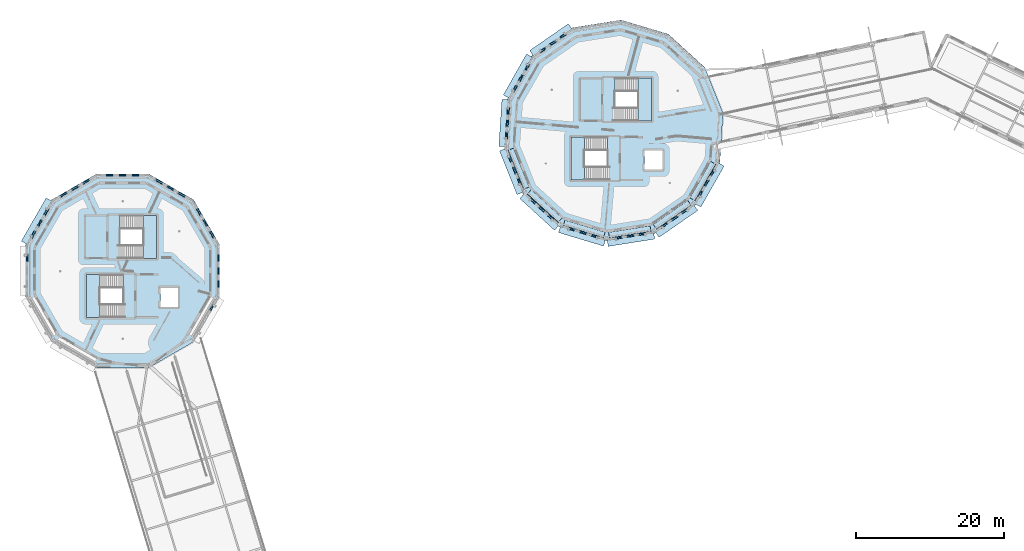
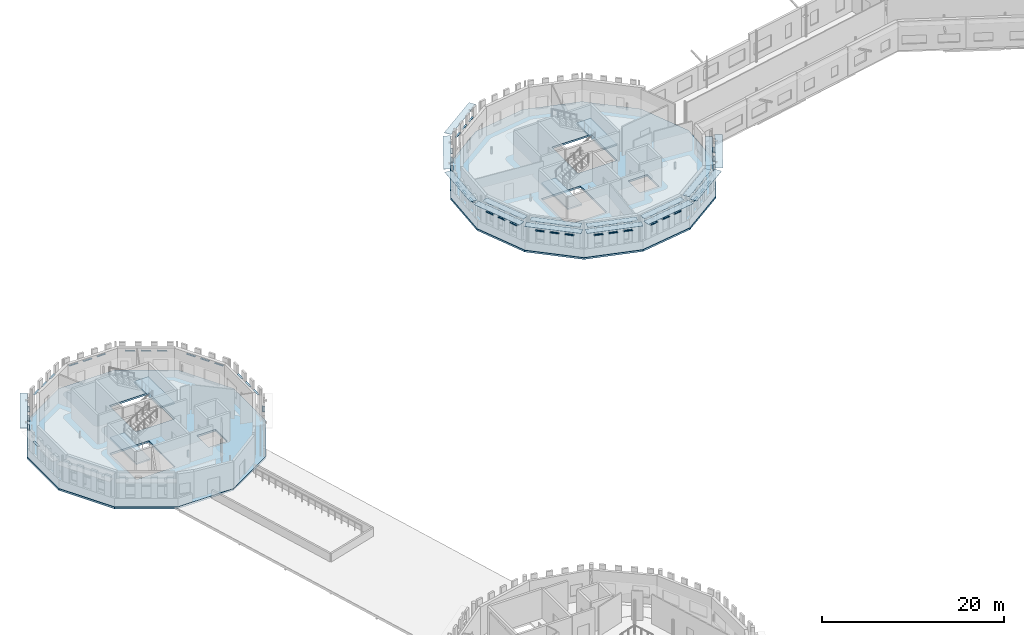
# One storey, part 25 of 68: 63 plates, 6 slabs, 4 elements without a shape of their own.
"""IFC4 building model written with IfcOpenShell, lengths in metres."""

from ifc_helpers import new_model, si_unit, direction, frame, origin, origin_2d, place, context, subcontext, project, spatial, polyline, rectangle, outline, extrude, material, layer, layer_set, type_object, element, aggregate, save


model = new_model("IFC4")

# Units and contexts
model_context = context("Model", 3, precision=1e-05, world=origin(), true_north=direction((0.0, 1.0)))
body_context = subcontext(model_context, "Body", "Model", "MODEL_VIEW")
ifc_project = project(units=[si_unit("LENGTHUNIT", "METRE"), si_unit("AREAUNIT", "SQUARE_METRE"), si_unit("VOLUMEUNIT", "CUBIC_METRE"), si_unit("PLANEANGLEUNIT", "RADIAN"), si_unit("MASSUNIT", "GRAM", prefix="KILO")], contexts=[model_context])

# Site, building, storey
site_placement = place(None, origin())
site = spatial("IfcSite", under=ifc_project, at=site_placement, CompositionType="ELEMENT")
building_placement = place(site_placement, origin())
building = spatial("IfcBuilding", under=site, at=building_placement, Name="Wrenclough Park School", CompositionType="ELEMENT")
storey_placement = place(building_placement, frame((0.0, 0.0, 12.60009765625)))
storey = spatial("IfcBuildingStorey", under=building, at=storey_placement, Name="L03", CompositionType="ELEMENT", Elevation=12.60009765625)

# Plates
ifc_material_1 = material(Name="Anodised architectural aluminium solar shading fin plate", Category="aluminium")
ifc_layer_1 = layer(ifc_material_1, 0.0380859375)
ifc_layer_set_1 = layer_set([ifc_layer_1], Name="Anodised architectural aluminium solar shading fin plate")
plate_type = type_object("IfcPlateType", Name="ENV-PL-BSF", PredefinedType="SHEET", material=ifc_layer_set_1)
for number, where, z_axis, x_axis, name in (
    (1, (28.600830078125, 94.4541015625, 2.721923828125), (0.0, 0.0, 1.0), (-0.499990505441, 0.866030885401, 0.0), "D3 L03 open-bond brick screen tie band 0563"),
    (2, (27.720703125, 95.978271484375, 2.721923828125), (0.0, 0.0, 1.0), (-0.499990505441, 0.866030885401, 0.0), "D3 L03 open-bond brick screen tie band 0564"),
    (3, (26.8408203125, 97.50244140625, 2.721923828125), (0.0, 0.0, 1.0), (-0.499990505441, 0.866030885401, 0.0), "D3 L03 open-bond brick screen tie band 0565"),
    (4, (24.50244140625, 99.8408203125, 2.721923828125), (0.0, 0.0, 1.0), (-0.866030885401, 0.499990505441, 0.0), "D3 L03 open-bond brick screen tie band 0566"),
    (5, (22.978271484375, 100.720703125, 2.721923828125), (0.0, 0.0, 1.0), (-0.866030885401, 0.499990505441, 0.0), "D3 L03 open-bond brick screen tie band 0567"),
    (6, (21.4541015625, 101.600830078125, 2.721923828125), (0.0, 0.0, 1.0), (-0.866030885401, 0.499990505441, 0.0), "D3 L03 open-bond brick screen tie band 0568"),
):
    element("IfcPlate", number, at=place(storey_placement, frame(where, z_axis=z_axis, x_axis=x_axis)), inside=storey, type_object=plate_type, Name=name, PredefinedType="SHEET", context=body_context, shape_type="SweptSolid", body=[
        extrude(rectangle(XDim=1.071044921875, YDim=0.219970703125, at=origin_2d()), origin(), (0.0, 0.0, 1.0), 0.0419921875),
    ])
plate_1_placement = place(storey_placement, frame((18.260009765625, 102.45654296875, 2.721923828125), z_axis=(0.0, 0.0, 1.0), x_axis=(-1.0, 0.0, 0.0)))
element("IfcPlate", 7, at=plate_1_placement, inside=storey, type_object=plate_type, Name="D3 L03 open-bond brick screen tie band 0569", PredefinedType="SHEET", context=body_context, shape_type="SweptSolid", body=[
    extrude(rectangle(XDim=1.07080078125, YDim=0.219970703125, at=origin_2d()), origin(), (0.0, 0.0, 1.0), 0.0419921875),
])
plate_2_placement = place(storey_placement, frame((16.5, 102.45654296875, 2.721923828125), z_axis=(0.0, 0.0, 1.0), x_axis=(-1.0, 0.0, 0.0)))
element("IfcPlate", 8, at=plate_2_placement, inside=storey, type_object=plate_type, Name="D3 L03 open-bond brick screen tie band 0570", PredefinedType="SHEET", context=body_context, shape_type="SweptSolid", body=[
    extrude(rectangle(XDim=1.071044921875, YDim=0.219970703125, at=origin_2d()), origin(), (0.0, 0.0, 1.0), 0.0419921875),
])
plate_3_placement = place(storey_placement, frame((14.739990234375, 102.45654296875, 2.721923828125), z_axis=(0.0, 0.0, 1.0), x_axis=(-1.0, 0.0, 0.0)))
element("IfcPlate", 9, at=plate_3_placement, inside=storey, type_object=plate_type, Name="D3 L03 open-bond brick screen tie band 0571", PredefinedType="SHEET", context=body_context, shape_type="SweptSolid", body=[
    extrude(rectangle(XDim=1.07080078125, YDim=0.219970703125, at=origin_2d()), origin(), (0.0, 0.0, 1.0), 0.0419921875),
])
for number, where, z_axis, x_axis, name in (
    (10, (11.5458984375, 101.600830078125, 2.721923828125), (0.0, 0.0, 1.0), (-0.866030885401, -0.499990505441, 0.0), "D3 L03 open-bond brick screen tie band 0572"),
    (11, (10.021728515625, 100.720703125, 2.721923828125), (0.0, 0.0, 1.0), (-0.866030885401, -0.499990505441, 0.0), "D3 L03 open-bond brick screen tie band 0573"),
    (12, (8.49755859375, 99.8408203125, 2.721923828125), (0.0, 0.0, 1.0), (-0.866030885401, -0.499990505441, 0.0), "D3 L03 open-bond brick screen tie band 0574"),
    (13, (6.1591796875, 97.50244140625, 2.721923828125), (0.0, 0.0, 1.0), (-0.499990505441, -0.866030885401, 0.0), "D3 L03 open-bond brick screen tie band 0575"),
    (14, (5.279296875, 95.978271484375, 2.721923828125), (0.0, 0.0, 1.0), (-0.499990505441, -0.866030885401, 0.0), "D3 L03 open-bond brick screen tie band 0576"),
    (15, (4.3994140625, 94.4541015625, 2.721923828125), (0.0, 0.0, 1.0), (-0.499990505441, -0.866030885401, 0.0), "D3 L03 open-bond brick screen tie band 0577"),
):
    element("IfcPlate", number, at=place(storey_placement, frame(where, z_axis=z_axis, x_axis=x_axis)), inside=storey, type_object=plate_type, Name=name, PredefinedType="SHEET", context=body_context, shape_type="SweptSolid", body=[
        extrude(rectangle(XDim=1.071044921875, YDim=0.219970703125, at=origin_2d()), origin(), (0.0, 0.0, 1.0), 0.0419921875),
    ])
plate_4_placement = place(storey_placement, frame((4.8310546875, 96.237060546875, 3.700927734375), z_axis=(0.0, 0.0, 1.0), x_axis=(-0.499990505441, -0.866030885401, 0.0)))
element("IfcPlate", 16, at=plate_4_placement, inside=storey, type_object=plate_type, Name="D3 L03 sun-side projecting brise-soleil blade 0098", PredefinedType="SHEET", context=body_context, shape_type="SweptSolid", body=[
    extrude(rectangle(XDim=6.739990234375, YDim=0.85009765625, at=origin_2d()), origin(), (0.0, 0.0, 1.0), 0.0380859375),
])
plate_5_placement = place(storey_placement, frame((3.54345703125, 91.260009765625, 2.721923828125), z_axis=(0.0, 0.0, 1.0), x_axis=(0.0, -1.0, 0.0)))
element("IfcPlate", 17, at=plate_5_placement, inside=storey, type_object=plate_type, Name="D3 L03 open-bond brick screen tie band 0578", PredefinedType="SHEET", context=body_context, shape_type="SweptSolid", body=[
    extrude(rectangle(XDim=1.07080078125, YDim=0.219970703125, at=origin_2d()), origin(), (0.0, 0.0, 1.0), 0.0419921875),
])
plate_6_placement = place(storey_placement, frame((28.600830078125, 84.5458984375, 2.721923828125), z_axis=(0.0, 0.0, 1.0), x_axis=(0.499990505441, 0.866030885401, 0.0)))
element("IfcPlate", 18, at=plate_6_placement, inside=storey, type_object=plate_type, Name="D3 L03 open-bond brick screen tie band 0589", PredefinedType="SHEET", context=body_context, shape_type="SweptSolid", body=[
    extrude(rectangle(XDim=1.071044921875, YDim=0.219970703125, at=origin_2d()), origin(), (0.0, 0.0, 1.0), 0.0419921875),
])
plate_7_placement = place(storey_placement, frame((29.45654296875, 87.739990234375, 2.721923828125), z_axis=(0.0, 0.0, 1.0), x_axis=(0.0, 1.0, 0.0)))
element("IfcPlate", 19, at=plate_7_placement, inside=storey, type_object=plate_type, Name="D3 L03 open-bond brick screen tie band 0590", PredefinedType="SHEET", context=body_context, shape_type="SweptSolid", body=[
    extrude(rectangle(XDim=1.07080078125, YDim=0.219970703125, at=origin_2d()), origin(), (0.0, 0.0, 1.0), 0.0419921875),
])
plate_8_placement = place(storey_placement, frame((29.45654296875, 89.5, 2.721923828125), z_axis=(0.0, 0.0, 1.0), x_axis=(0.0, 1.0, 0.0)))
element("IfcPlate", 20, at=plate_8_placement, inside=storey, type_object=plate_type, Name="D3 L03 open-bond brick screen tie band 0591", PredefinedType="SHEET", context=body_context, shape_type="SweptSolid", body=[
    extrude(rectangle(XDim=1.071044921875, YDim=0.219970703125, at=origin_2d()), origin(), (0.0, 0.0, 1.0), 0.0419921875),
])
plate_9_placement = place(storey_placement, frame((29.45654296875, 91.260009765625, 2.721923828125), z_axis=(0.0, 0.0, 1.0), x_axis=(0.0, 1.0, 0.0)))
element("IfcPlate", 21, at=plate_9_placement, inside=storey, type_object=plate_type, Name="D3 L03 open-bond brick screen tie band 0592", PredefinedType="SHEET", context=body_context, shape_type="SweptSolid", body=[
    extrude(rectangle(XDim=1.07080078125, YDim=0.219970703125, at=origin_2d()), origin(), (0.0, 0.0, 1.0), 0.0419921875),
])
plate_10_placement = place(storey_placement, frame((76.146240234375, 121.3232421875, 2.721923828125), z_axis=(0.0, 0.0, 1.0), x_axis=(-0.8220077158, -0.569476351718, 0.0)))
element("IfcPlate", 22, at=plate_10_placement, inside=storey, type_object=plate_type, Name="D4 L03 open-bond brick screen tie band 0602", PredefinedType="SHEET", context=body_context, shape_type="SweptSolid", body=[
    extrude(rectangle(XDim=1.01806640625, YDim=0.219970703125, at=origin_2d()), origin(), (0.0, 0.0, 1.0), 0.0419921875),
])
plate_11_placement = place(storey_placement, frame((74.7744140625, 120.372802734375, 2.721923828125), z_axis=(0.0, 0.0, 1.0), x_axis=(-0.8220077158, -0.569476351718, 0.0)))
element("IfcPlate", 23, at=plate_11_placement, inside=storey, type_object=plate_type, Name="D4 L03 open-bond brick screen tie band 0603", PredefinedType="SHEET", context=body_context, shape_type="SweptSolid", body=[
    extrude(rectangle(XDim=1.017822265625, YDim=0.219970703125, at=origin_2d()), origin(), (0.0, 0.0, 1.0), 0.0419921875),
])
plate_12_placement = place(storey_placement, frame((73.402587890625, 119.422607421875, 2.721923828125), z_axis=(0.0, 0.0, 1.0), x_axis=(-0.8220077158, -0.569476351718, 0.0)))
element("IfcPlate", 24, at=plate_12_placement, inside=storey, type_object=plate_type, Name="D4 L03 open-bond brick screen tie band 0604", PredefinedType="SHEET", context=body_context, shape_type="SweptSolid", body=[
    extrude(rectangle(XDim=1.01806640625, YDim=0.219970703125, at=origin_2d()), origin(), (0.0, 0.0, 1.0), 0.0419921875),
])
plate_13_placement = place(storey_placement, frame((74.479736328125, 120.79833984375, 3.700927734375), z_axis=(0.0, 0.0, 1.0), x_axis=(-0.8220077158, -0.569476351718, 0.0)))
element("IfcPlate", 25, at=plate_13_placement, inside=storey, type_object=plate_type, Name="D4 L03 sun-side projecting brise-soleil blade 0103", PredefinedType="SHEET", context=body_context, shape_type="SweptSolid", body=[
    extrude(rectangle(XDim=6.37548828125, YDim=0.85009765625, at=origin_2d()), origin(), (0.0, 0.0, 1.0), 0.0380859375),
])
plate_14_placement = place(storey_placement, frame((71.26123046875, 117.079833984375, 2.721923828125), z_axis=(0.0, 0.0, 1.0), x_axis=(-0.493508752009, -0.869740830185, 0.0)))
element("IfcPlate", 26, at=plate_14_placement, inside=storey, type_object=plate_type, Name="D4 L03 open-bond brick screen tie band 0605", PredefinedType="SHEET", context=body_context, shape_type="SweptSolid", body=[
    extrude(rectangle(XDim=1.017822265625, YDim=0.219970703125, at=origin_2d()), origin(), (0.0, 0.0, 1.0), 0.0419921875),
])
plate_15_placement = place(storey_placement, frame((70.4375, 115.62841796875, 2.721923828125), z_axis=(0.0, 0.0, 1.0), x_axis=(-0.493508752009, -0.869740830185, 0.0)))
element("IfcPlate", 27, at=plate_15_placement, inside=storey, type_object=plate_type, Name="D4 L03 open-bond brick screen tie band 0606", PredefinedType="SHEET", context=body_context, shape_type="SweptSolid", body=[
    extrude(rectangle(XDim=1.01806640625, YDim=0.219970703125, at=origin_2d()), origin(), (0.0, 0.0, 1.0), 0.0419921875),
])
plate_16_placement = place(storey_placement, frame((69.614013671875, 114.1767578125, 2.721923828125), z_axis=(0.0, 0.0, 1.0), x_axis=(-0.493508752009, -0.869740830185, 0.0)))
element("IfcPlate", 28, at=plate_16_placement, inside=storey, type_object=plate_type, Name="D4 L03 open-bond brick screen tie band 0607", PredefinedType="SHEET", context=body_context, shape_type="SweptSolid", body=[
    extrude(rectangle(XDim=1.017822265625, YDim=0.219970703125, at=origin_2d()), origin(), (0.0, 0.0, 1.0), 0.0419921875),
])
plate_17_placement = place(storey_placement, frame((69.987548828125, 115.883544921875, 3.700927734375), z_axis=(0.0, 0.0, 1.0), x_axis=(-0.493508752009, -0.869740830185, 0.0)))
element("IfcPlate", 29, at=plate_17_placement, inside=storey, type_object=plate_type, Name="D4 L03 sun-side projecting brise-soleil blade 0104", PredefinedType="SHEET", context=body_context, shape_type="SweptSolid", body=[
    extrude(rectangle(XDim=6.375732421875, YDim=0.85009765625, at=origin_2d()), origin(), (0.0, 0.0, 1.0), 0.0380859375),
])
for number, where, z_axis, x_axis, name in (
    (30, (68.700927734375, 111.13671875, 2.721923828125), (0.0, 0.0, 1.0), (-0.067259701296, -0.997735502316, 0.0), "D4 L03 open-bond brick screen tie band 0608"),
    (31, (68.5888671875, 109.4716796875, 2.721923828125), (0.0, 0.0, 1.0), (-0.067259701296, -0.997735502316, 0.0), "D4 L03 open-bond brick screen tie band 0609"),
    (32, (68.4765625, 107.806640625, 2.721923828125), (0.0, 0.0, 1.0), (-0.067259701296, -0.997735502316, 0.0), "D4 L03 open-bond brick screen tie band 0610"),
):
    element("IfcPlate", number, at=place(storey_placement, frame(where, z_axis=z_axis, x_axis=x_axis)), inside=storey, type_object=plate_type, Name=name, PredefinedType="SHEET", context=body_context, shape_type="SweptSolid", body=[
        extrude(rectangle(XDim=1.017822265625, YDim=0.219970703125, at=origin_2d()), origin(), (0.0, 0.0, 1.0), 0.0419921875),
    ])
plate_18_placement = place(storey_placement, frame((68.072509765625, 109.506591796875, 3.700927734375), z_axis=(0.0, 0.0, 1.0), x_axis=(-0.067259701296, -0.997735502316, 0.0)))
element("IfcPlate", 33, at=plate_18_placement, inside=storey, type_object=plate_type, Name="D4 L03 sun-side projecting brise-soleil blade 0105", PredefinedType="SHEET", context=body_context, shape_type="SweptSolid", body=[
    extrude(rectangle(XDim=6.37548828125, YDim=0.85009765625, at=origin_2d()), origin(), (0.0, 0.0, 1.0), 0.0380859375),
])
plate_19_placement = place(storey_placement, frame((68.97314453125, 104.67138671875, 2.721923828125), z_axis=(0.0, 0.0, 1.0), x_axis=(0.372291869402, -0.928115706136, 0.0)))
element("IfcPlate", 34, at=plate_19_placement, inside=storey, type_object=plate_type, Name="D4 L03 open-bond brick screen tie band 0611", PredefinedType="SHEET", context=body_context, shape_type="SweptSolid", body=[
    extrude(rectangle(XDim=1.017822265625, YDim=0.219970703125, at=origin_2d()), origin(), (0.0, 0.0, 1.0), 0.0419921875),
])
plate_20_placement = place(storey_placement, frame((69.594482421875, 103.12255859375, 2.721923828125), z_axis=(0.0, 0.0, 1.0), x_axis=(0.372291869402, -0.928115706136, 0.0)))
element("IfcPlate", 35, at=plate_20_placement, inside=storey, type_object=plate_type, Name="D4 L03 open-bond brick screen tie band 0612", PredefinedType="SHEET", context=body_context, shape_type="SweptSolid", body=[
    extrude(rectangle(XDim=1.01806640625, YDim=0.219970703125, at=origin_2d()), origin(), (0.0, 0.0, 1.0), 0.0419921875),
])
plate_21_placement = place(storey_placement, frame((70.2158203125, 101.57373046875, 2.721923828125), z_axis=(0.0, 0.0, 1.0), x_axis=(0.372291869402, -0.928115706136, 0.0)))
element("IfcPlate", 36, at=plate_21_placement, inside=storey, type_object=plate_type, Name="D4 L03 open-bond brick screen tie band 0613", PredefinedType="SHEET", context=body_context, shape_type="SweptSolid", body=[
    extrude(rectangle(XDim=1.017822265625, YDim=0.219970703125, at=origin_2d()), origin(), (0.0, 0.0, 1.0), 0.0419921875),
])
plate_22_placement = place(storey_placement, frame((69.1142578125, 102.929931640625, 3.700927734375), z_axis=(0.0, 0.0, 1.0), x_axis=(0.372291869402, -0.928115706136, 0.0)))
element("IfcPlate", 37, at=plate_22_placement, inside=storey, type_object=plate_type, Name="D4 L03 sun-side projecting brise-soleil blade 0106", PredefinedType="SHEET", context=body_context, shape_type="SweptSolid", body=[
    extrude(rectangle(XDim=6.375732421875, YDim=0.85009765625, at=origin_2d()), origin(), (0.0, 0.0, 1.0), 0.0380859375),
])
plate_23_placement = place(storey_placement, frame((72.023193359375, 98.964599609375, 2.721923828125), z_axis=(0.0, 0.0, 1.0), x_axis=(0.738122161547, -0.674667084296, 0.0)))
element("IfcPlate", 38, at=plate_23_placement, inside=storey, type_object=plate_type, Name="D4 L03 open-bond brick screen tie band 0614", PredefinedType="SHEET", context=body_context, shape_type="SweptSolid", body=[
    extrude(rectangle(XDim=1.01806640625, YDim=0.219970703125, at=origin_2d()), origin(), (0.0, 0.0, 1.0), 0.0419921875),
])
plate_24_placement = place(storey_placement, frame((73.255126953125, 97.838623046875, 2.721923828125), z_axis=(0.0, 0.0, 1.0), x_axis=(0.738122161547, -0.674667084296, 0.0)))
element("IfcPlate", 39, at=plate_24_placement, inside=storey, type_object=plate_type, Name="D4 L03 open-bond brick screen tie band 0615", PredefinedType="SHEET", context=body_context, shape_type="SweptSolid", body=[
    extrude(rectangle(XDim=1.017822265625, YDim=0.219970703125, at=origin_2d()), origin(), (0.0, 0.0, 1.0), 0.0419921875),
])
plate_25_placement = place(storey_placement, frame((74.487060546875, 96.712646484375, 2.721923828125), z_axis=(0.0, 0.0, 1.0), x_axis=(0.738122161547, -0.674667084296, 0.0)))
element("IfcPlate", 40, at=plate_25_placement, inside=storey, type_object=plate_type, Name="D4 L03 open-bond brick screen tie band 0616", PredefinedType="SHEET", context=body_context, shape_type="SweptSolid", body=[
    extrude(rectangle(XDim=1.01806640625, YDim=0.219970703125, at=origin_2d()), origin(), (0.0, 0.0, 1.0), 0.0419921875),
])
plate_26_placement = place(storey_placement, frame((72.906005859375, 97.456787109375, 3.700927734375), z_axis=(0.0, 0.0, 1.0), x_axis=(0.738122161547, -0.674667084296, 0.0)))
element("IfcPlate", 41, at=plate_26_placement, inside=storey, type_object=plate_type, Name="D4 L03 sun-side projecting brise-soleil blade 0107", PredefinedType="SHEET", context=body_context, shape_type="SweptSolid", body=[
    extrude(rectangle(XDim=6.37548828125, YDim=0.85009765625, at=origin_2d()), origin(), (0.0, 0.0, 1.0), 0.0380859375),
])
for number, where, z_axis, x_axis, name in (
    (42, (77.24755859375, 95.146240234375, 2.721923828125), (0.0, 0.0, 1.0), (0.957751215921, -0.287597997911, 0.0), "D4 L03 open-bond brick screen tie band 0617"),
    (43, (78.845947265625, 94.666259765625, 2.721923828125), (0.0, 0.0, 1.0), (0.957751215921, -0.287597997911, 0.0), "D4 L03 open-bond brick screen tie band 0618"),
    (44, (80.4443359375, 94.186279296875, 2.721923828125), (0.0, 0.0, 1.0), (0.957751215921, -0.287597997911, 0.0), "D4 L03 open-bond brick screen tie band 0619"),
):
    element("IfcPlate", number, at=place(storey_placement, frame(where, z_axis=z_axis, x_axis=x_axis)), inside=storey, type_object=plate_type, Name=name, PredefinedType="SHEET", context=body_context, shape_type="SweptSolid", body=[
        extrude(rectangle(XDim=1.017822265625, YDim=0.219970703125, at=origin_2d()), origin(), (0.0, 0.0, 1.0), 0.0419921875),
    ])
plate_27_placement = place(storey_placement, frame((78.697265625, 94.170654296875, 3.700927734375), z_axis=(0.0, 0.0, 1.0), x_axis=(0.957751215921, -0.287597997911, 0.0)))
element("IfcPlate", 45, at=plate_27_placement, inside=storey, type_object=plate_type, Name="D4 L03 sun-side projecting brise-soleil blade 0108", PredefinedType="SHEET", context=body_context, shape_type="SweptSolid", body=[
    extrude(rectangle(XDim=6.37548828125, YDim=0.85009765625, at=origin_2d()), origin(), (0.0, 0.0, 1.0), 0.0380859375),
])
for number, where, z_axis, x_axis, name in (
    (46, (83.611083984375, 93.972900390625, 2.721923828125), (0.0, 0.0, 1.0), (0.98768815471, 0.156435638666, 0.0), "D4 L03 open-bond brick screen tie band 0620"),
    (47, (85.259521484375, 94.23388671875, 2.721923828125), (0.0, 0.0, 1.0), (0.98768815471, 0.156435638666, 0.0), "D4 L03 open-bond brick screen tie band 0621"),
    (48, (86.90771484375, 94.4951171875, 2.721923828125), (0.0, 0.0, 1.0), (0.98768815471, 0.156435638666, 0.0), "D4 L03 open-bond brick screen tie band 0622"),
):
    element("IfcPlate", number, at=place(storey_placement, frame(where, z_axis=z_axis, x_axis=x_axis)), inside=storey, type_object=plate_type, Name=name, PredefinedType="SHEET", context=body_context, shape_type="SweptSolid", body=[
        extrude(rectangle(XDim=1.017822265625, YDim=0.219970703125, at=origin_2d()), origin(), (0.0, 0.0, 1.0), 0.0419921875),
    ])
plate_28_placement = place(storey_placement, frame((85.340576171875, 93.722900390625, 3.700927734375), z_axis=(0.0, 0.0, 1.0), x_axis=(0.98768815471, 0.156435638666, 0.0)))
element("IfcPlate", 49, at=plate_28_placement, inside=storey, type_object=plate_type, Name="D4 L03 sun-side projecting brise-soleil blade 0109", PredefinedType="SHEET", context=body_context, shape_type="SweptSolid", body=[
    extrude(rectangle(XDim=6.37548828125, YDim=0.85009765625, at=origin_2d()), origin(), (0.0, 0.0, 1.0), 0.0380859375),
])
plate_29_placement = place(storey_placement, frame((89.853759765625, 95.6767578125, 2.721923828125), z_axis=(0.0, 0.0, 1.0), x_axis=(0.8220077158, 0.569476351718, 0.0)))
element("IfcPlate", 50, at=plate_29_placement, inside=storey, type_object=plate_type, Name="D4 L03 open-bond brick screen tie band 0623", PredefinedType="SHEET", context=body_context, shape_type="SweptSolid", body=[
    extrude(rectangle(XDim=1.01806640625, YDim=0.219970703125, at=origin_2d()), origin(), (0.0, 0.0, 1.0), 0.0419921875),
])
plate_30_placement = place(storey_placement, frame((91.2255859375, 96.627197265625, 2.721923828125), z_axis=(0.0, 0.0, 1.0), x_axis=(0.8220077158, 0.569476351718, 0.0)))
element("IfcPlate", 51, at=plate_30_placement, inside=storey, type_object=plate_type, Name="D4 L03 open-bond brick screen tie band 0624", PredefinedType="SHEET", context=body_context, shape_type="SweptSolid", body=[
    extrude(rectangle(XDim=1.017822265625, YDim=0.219970703125, at=origin_2d()), origin(), (0.0, 0.0, 1.0), 0.0419921875),
])
plate_31_placement = place(storey_placement, frame((92.597412109375, 97.577392578125, 2.721923828125), z_axis=(0.0, 0.0, 1.0), x_axis=(0.8220077158, 0.569476351718, 0.0)))
element("IfcPlate", 52, at=plate_31_placement, inside=storey, type_object=plate_type, Name="D4 L03 open-bond brick screen tie band 0625", PredefinedType="SHEET", context=body_context, shape_type="SweptSolid", body=[
    extrude(rectangle(XDim=1.01806640625, YDim=0.219970703125, at=origin_2d()), origin(), (0.0, 0.0, 1.0), 0.0419921875),
])
plate_32_placement = place(storey_placement, frame((91.520263671875, 96.20166015625, 3.700927734375), z_axis=(0.0, 0.0, 1.0), x_axis=(0.8220077158, 0.569476351718, 0.0)))
element("IfcPlate", 53, at=plate_32_placement, inside=storey, type_object=plate_type, Name="D4 L03 sun-side projecting brise-soleil blade 0110", PredefinedType="SHEET", context=body_context, shape_type="SweptSolid", body=[
    extrude(rectangle(XDim=6.37548828125, YDim=0.85009765625, at=origin_2d()), origin(), (0.0, 0.0, 1.0), 0.0380859375),
])
plate_33_placement = place(storey_placement, frame((94.73876953125, 99.920166015625, 2.721923828125), z_axis=(0.0, 0.0, 1.0), x_axis=(0.493508752009, 0.869740830185, 0.0)))
element("IfcPlate", 54, at=plate_33_placement, inside=storey, type_object=plate_type, Name="D4 L03 open-bond brick screen tie band 0626", PredefinedType="SHEET", context=body_context, shape_type="SweptSolid", body=[
    extrude(rectangle(XDim=1.017822265625, YDim=0.219970703125, at=origin_2d()), origin(), (0.0, 0.0, 1.0), 0.0419921875),
])
plate_34_placement = place(storey_placement, frame((95.5625, 101.37158203125, 2.721923828125), z_axis=(0.0, 0.0, 1.0), x_axis=(0.493508752009, 0.869740830185, 0.0)))
element("IfcPlate", 55, at=plate_34_placement, inside=storey, type_object=plate_type, Name="D4 L03 open-bond brick screen tie band 0627", PredefinedType="SHEET", context=body_context, shape_type="SweptSolid", body=[
    extrude(rectangle(XDim=1.01806640625, YDim=0.219970703125, at=origin_2d()), origin(), (0.0, 0.0, 1.0), 0.0419921875),
])
plate_35_placement = place(storey_placement, frame((96.385986328125, 102.8232421875, 2.721923828125), z_axis=(0.0, 0.0, 1.0), x_axis=(0.493508752009, 0.869740830185, 0.0)))
element("IfcPlate", 56, at=plate_35_placement, inside=storey, type_object=plate_type, Name="D4 L03 open-bond brick screen tie band 0628", PredefinedType="SHEET", context=body_context, shape_type="SweptSolid", body=[
    extrude(rectangle(XDim=1.017822265625, YDim=0.219970703125, at=origin_2d()), origin(), (0.0, 0.0, 1.0), 0.0419921875),
])
plate_36_placement = place(storey_placement, frame((96.012451171875, 101.116455078125, 3.700927734375), z_axis=(0.0, 0.0, 1.0), x_axis=(0.493508752009, 0.869740830185, 0.0)))
element("IfcPlate", 57, at=plate_36_placement, inside=storey, type_object=plate_type, Name="D4 L03 sun-side projecting brise-soleil blade 0111", PredefinedType="SHEET", context=body_context, shape_type="SweptSolid", body=[
    extrude(rectangle(XDim=6.375732421875, YDim=0.85009765625, at=origin_2d()), origin(), (0.0, 0.0, 1.0), 0.0380859375),
])
plate_37_placement = place(storey_placement, frame((95.071044921875, 101.650390625, 3.720947265625), z_axis=(0.0, 0.0, 1.0), x_axis=(-0.493504096724, -0.869743471672, 0.0)))
element("IfcPlate", 58, at=plate_37_placement, inside=storey, type_object=plate_type, Name="L03 link wing sun-side brise-soleil blade 0216", PredefinedType="SHEET", context=body_context, shape_type="SweptSolid", body=[
    extrude(rectangle(XDim=5.68701171875, YDim=0.800048828125, at=origin_2d()), origin(), (0.0, 0.0, 1.0), 0.0380859375),
])
plate_38_placement = place(storey_placement, frame((90.91259765625, 97.0791015625, 3.720947265625), z_axis=(0.0, 0.0, 1.0), x_axis=(-0.821998732714, -0.569489318088, 0.0)))
element("IfcPlate", 59, at=plate_38_placement, inside=storey, type_object=plate_type, Name="L03 link wing sun-side brise-soleil blade 0217", PredefinedType="SHEET", context=body_context, shape_type="SweptSolid", body=[
    extrude(rectangle(XDim=5.6865234375, YDim=0.800048828125, at=origin_2d()), origin(), (0.0, 0.0, 1.0), 0.0380859375),
])
plate_39_placement = place(storey_placement, frame((85.175048828125, 94.76708984375, 3.720947265625), z_axis=(0.0, 0.0, 1.0), x_axis=(-0.987691464917, -0.156414737575, 0.0)))
element("IfcPlate", 60, at=plate_39_placement, inside=storey, type_object=plate_type, Name="L03 link wing sun-side brise-soleil blade 0218", PredefinedType="SHEET", context=body_context, shape_type="SweptSolid", body=[
    extrude(rectangle(XDim=5.68701171875, YDim=0.800048828125, at=origin_2d()), origin(), (0.0, 0.0, 1.0), 0.0380859375),
])
plate_40_placement = place(storey_placement, frame((78.997802734375, 95.17138671875, 3.720947265625), z_axis=(0.0, 0.0, 1.0), x_axis=(-0.957750283437, 0.287601103224, 0.0)))
element("IfcPlate", 61, at=plate_40_placement, inside=storey, type_object=plate_type, Name="L03 link wing sun-side brise-soleil blade 0219", PredefinedType="SHEET", context=body_context, shape_type="SweptSolid", body=[
    extrude(rectangle(XDim=5.6865234375, YDim=0.800048828125, at=origin_2d()), origin(), (0.0, 0.0, 1.0), 0.0380859375),
])
for number, where, z_axis, x_axis, name in (
    (62, (73.66162109375, 98.283203125, 3.720947265625), (0.0, 0.0, 1.0), (-0.73812651468, 0.674662321704, 0.0), "L03 link wing sun-side brise-soleil blade 0220"),
    (63, (70.11181640625, 103.330078125, 3.720947265625), (0.0, 0.0, 1.0), (-0.372288410416, 0.92811709362, 0.0), "L03 link wing sun-side brise-soleil blade 0221"),
):
    element("IfcPlate", number, at=place(storey_placement, frame(where, z_axis=z_axis, x_axis=x_axis)), inside=storey, type_object=plate_type, Name=name, PredefinedType="SHEET", context=body_context, shape_type="SweptSolid", body=[
        extrude(rectangle(XDim=5.68701171875, YDim=0.800048828125, at=origin_2d()), origin(), (0.0, 0.0, 1.0), 0.0380859375),
    ])

# Stair, slab
ifc_material_2 = material(Name="Precast concrete C40/50", Category="concrete")
stair_type = type_object("IfcStairType", Name="INT-ST-180-42", PredefinedType="HALF_TURN_STAIR", material=ifc_material_2)
stair_1_placement = place(storey_placement, origin())
stair_1 = element("IfcStair", 64, at=stair_1_placement, inside=storey, type_object=stair_type, Name="L03 escape stair ST-03", PredefinedType="HALF_TURN_STAIR")
ifc_layer_2 = layer(ifc_material_2, 0.195068359375)
ifc_layer_set_2 = layer_set([ifc_layer_2], Name="Precast concrete C40/50")
slab_type_1 = type_object("IfcSlabType", Name="INT-SL-LAND195", PredefinedType="LANDING", material=ifc_layer_set_2)
slab_1_placement = place(storey_placement, frame((0.0, 0.0, 1.989013671875)))
slab_1 = element("IfcSlab", 65, at=slab_1_placement, type_object=slab_type_1, Name="ST-03 landing 1", PredefinedType="LANDING", context=body_context, shape_type="SweptSolid", body=[
    extrude(outline(polyline([(11.60009765625, 83.199951171875), (13.423095703125, 83.199951171875), (13.423095703125, 89.0), (11.60009765625, 89.0), (11.60009765625, 83.199951171875)])), origin(), (0.0, 0.0, 1.0), 0.19482421875),
])
aggregate(stair_1, [slab_1])

stair_2_placement = place(storey_placement, origin())
stair_2 = element("IfcStair", 66, at=stair_2_placement, inside=storey, type_object=stair_type, Name="L03 escape stair ST-07", PredefinedType="HALF_TURN_STAIR")
slab_2_placement = place(storey_placement, frame((0.0, 0.0, 1.989013671875)))
slab_2 = element("IfcSlab", 67, at=slab_2_placement, type_object=slab_type_1, Name="ST-07 landing 1", PredefinedType="LANDING", context=body_context, shape_type="SweptSolid", body=[
    extrude(outline(polyline([(19.277099609375, 91.199951171875), (21.10009765625, 91.199951171875), (21.10009765625, 97.0), (19.277099609375, 97.0), (19.277099609375, 91.199951171875)])), origin(), (0.0, 0.0, 1.0), 0.19482421875),
])
aggregate(stair_2, [slab_2])

stair_3_placement = place(storey_placement, origin())
stair_3 = element("IfcStair", 68, at=stair_3_placement, inside=storey, type_object=stair_type, Name="L03 escape stair ST-04", PredefinedType="HALF_TURN_STAIR")
slab_3_placement = place(storey_placement, frame((0.0, 0.0, 1.989013671875)))
slab_3 = element("IfcSlab", 69, at=slab_3_placement, type_object=slab_type_1, Name="ST-04 landing 1", PredefinedType="LANDING", context=body_context, shape_type="SweptSolid", body=[
    extrude(outline(polyline([(77.199951171875, 101.800048828125), (79.02294921875, 101.800048828125), (79.02294921875, 107.60009765625), (77.199951171875, 107.60009765625), (77.199951171875, 101.800048828125)])), origin(), (0.0, 0.0, 1.0), 0.19482421875),
])
aggregate(stair_3, [slab_3])

stair_4_placement = place(storey_placement, origin())
stair_4 = element("IfcStair", 70, at=stair_4_placement, inside=storey, type_object=stair_type, Name="L03 escape stair ST-08", PredefinedType="HALF_TURN_STAIR")
slab_4_placement = place(storey_placement, frame((0.0, 0.0, 1.989013671875)))
slab_4 = element("IfcSlab", 71, at=slab_4_placement, type_object=slab_type_1, Name="ST-08 landing 1", PredefinedType="LANDING", context=body_context, shape_type="SweptSolid", body=[
    extrude(outline(polyline([(86.277099609375, 109.800048828125), (88.10009765625, 109.800048828125), (88.10009765625, 115.60009765625), (86.277099609375, 115.60009765625), (86.277099609375, 109.800048828125)])), origin(), (0.0, 0.0, 1.0), 0.19482421875),
])
aggregate(stair_4, [slab_4])

# Slabs
ifc_material_3 = material(Name="Concrete C32/40", Category="concrete")
ifc_layer_3 = layer(ifc_material_3, 0.239990234375)
ifc_layer_set_3 = layer_set([ifc_layer_3], Name="Concrete C32/40")
slab_type_2 = type_object("IfcSlabType", Name="STR-SL-FL240", PredefinedType="FLOOR", material=ifc_layer_set_3)
slab_5_placement = place(storey_placement, frame((0.0, 0.0, -0.239990234375)))
element("IfcSlab", 72, at=slab_5_placement, inside=storey, type_object=slab_type_2, Name="D4 L03 structural slab SLAB-D4-L03", PredefinedType="FLOOR", context=body_context, shape_type="SweptSolid", body=[
    extrude(outline(polyline([(97.815185546875, 110.846435546875), (95.330078125, 117.042236328125), (90.402587890625, 121.546142578125), (84.009033203125, 123.466064453125), (77.41552734375, 122.421630859375), (71.92822265625, 118.6201171875), (68.6337890625, 112.81396484375), (68.184814453125, 106.153564453125), (70.669921875, 99.957763671875), (75.597412109375, 95.453857421875), (81.990966796875, 93.533935546875), (88.58447265625, 94.578369140625), (94.07177734375, 98.3798828125), (97.3662109375, 104.18603515625), (97.815185546875, 110.846435546875)]), holes=[polyline([(77.199951171875, 101.800048828125), (82.152099609375, 101.800048828125), (82.152099609375, 107.60009765625), (77.199951171875, 107.60009765625), (77.199951171875, 101.800048828125)]), polyline([(87.199951171875, 103.199951171875), (89.60009765625, 103.199951171875), (89.60009765625, 105.800048828125), (87.199951171875, 105.800048828125), (87.199951171875, 103.199951171875)]), polyline([(83.14794921875, 109.800048828125), (88.10009765625, 109.800048828125), (88.10009765625, 115.60009765625), (83.14794921875, 115.60009765625), (83.14794921875, 109.800048828125)])]), origin(), (0.0, 0.0, 1.0), 0.239990234375),
])
ifc_layer_4 = layer(ifc_material_3, 0.25)
ifc_layer_set_4 = layer_set([ifc_layer_4], Name="Concrete C32/40")
slab_type_3 = type_object("IfcSlabType", Name="STR-SL-FL250", PredefinedType="FLOOR", material=ifc_layer_set_4)
slab_6_placement = place(storey_placement, frame((0.0, 0.0, -0.25)))
element("IfcSlab", 73, at=slab_6_placement, inside=storey, type_object=slab_type_3, Name="D3 L03 structural slab SLAB-D3-L03", PredefinedType="FLOOR", context=body_context, shape_type="SweptSolid", body=[
    extrude(outline(polyline([(29.63671875, 93.02001953125), (26.11669921875, 99.11669921875), (20.02001953125, 102.63671875), (12.97998046875, 102.63671875), (6.88330078125, 99.11669921875), (3.36328125, 93.02001953125), (3.36328125, 85.97998046875), (6.88330078125, 79.88330078125), (12.97998046875, 76.36328125), (20.02001953125, 76.36328125), (26.11669921875, 79.88330078125), (29.63671875, 85.97998046875), (29.63671875, 93.02001953125)]), holes=[polyline([(11.60009765625, 83.199951171875), (16.552001953125, 83.199951171875), (16.552001953125, 89.0), (11.60009765625, 89.0), (11.60009765625, 83.199951171875)]), polyline([(21.60009765625, 84.60009765625), (24.0, 84.60009765625), (24.0, 87.199951171875), (21.60009765625, 87.199951171875), (21.60009765625, 84.60009765625)]), polyline([(16.14794921875, 91.199951171875), (21.10009765625, 91.199951171875), (21.10009765625, 97.0), (16.14794921875, 97.0), (16.14794921875, 91.199951171875)])]), origin(), (0.0, 0.0, 1.0), 0.25),
])

save(model, "model.ifc")
